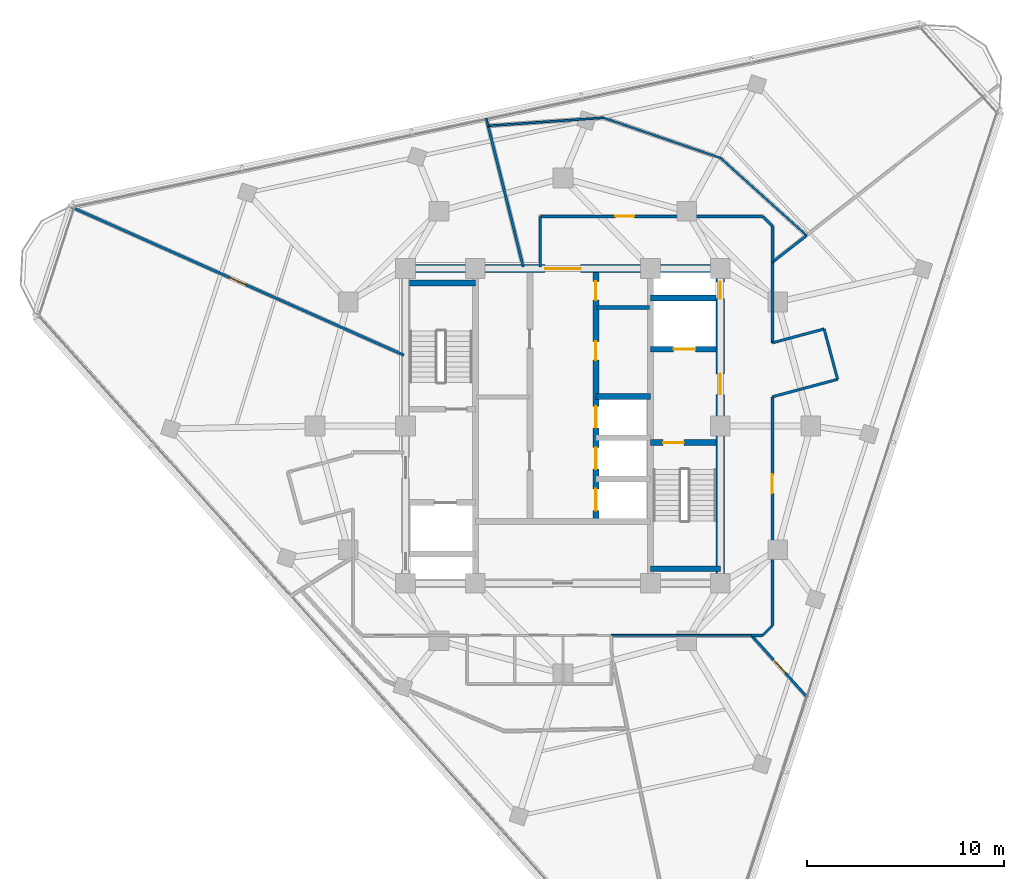
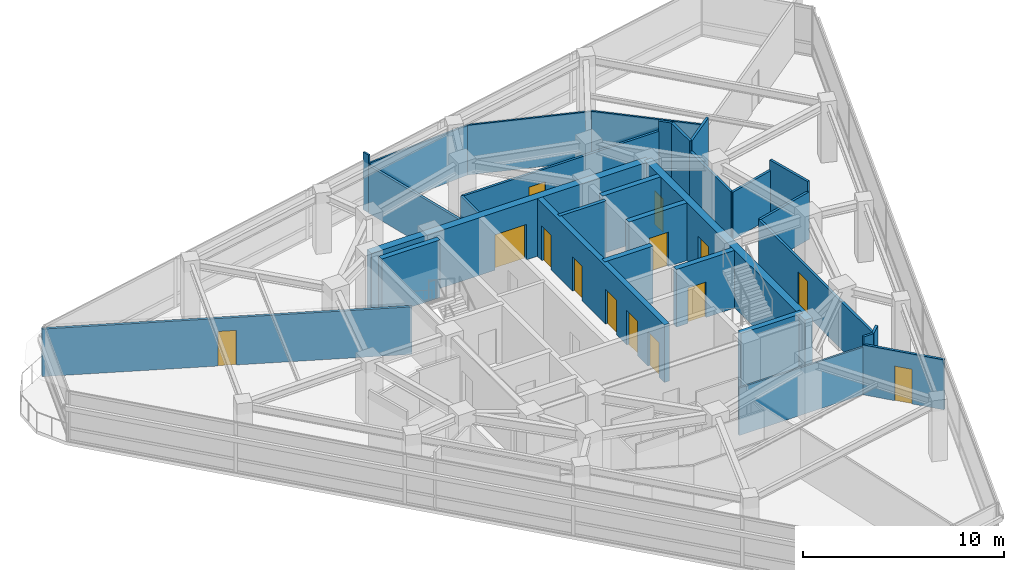
# One storey, part 9 of 15: 30 walls, 14 doors, 14 openings.
"""IFC4 building model written with IfcOpenShell, lengths in metres."""

from ifc_helpers import new_model, si_unit, direction, frame, frame_2d, origin, place, context, subcontext, project, spatial, rectangle, extrude, material, layer, layer_set, type_object, element, fill, save


model = new_model("IFC4")

# Units and contexts
model_context = context("Model", 3, precision=1e-05, world=origin(), true_north=direction((0.0, 1.0)))
body_context = subcontext(model_context, "Body", "Model", "MODEL_VIEW")
ifc_project = project(units=[si_unit("LENGTHUNIT", "METRE"), si_unit("AREAUNIT", "SQUARE_METRE"), si_unit("VOLUMEUNIT", "CUBIC_METRE"), si_unit("PLANEANGLEUNIT", "RADIAN"), si_unit("MASSUNIT", "GRAM", prefix="KILO")], contexts=[model_context])

# Site, building, storey
site_placement = place(None, origin())
site = spatial("IfcSite", under=ifc_project, at=site_placement, CompositionType="ELEMENT")
building_placement = place(site_placement, origin())
building = spatial("IfcBuilding", under=site, at=building_placement, Name="Terralouvre Media Tower", CompositionType="ELEMENT")
storey_placement = place(building_placement, frame((0.0, 0.0, 286.89990234375)))
storey = spatial("IfcBuildingStorey", under=building, at=storey_placement, Name="L74", CompositionType="ELEMENT", Elevation=286.89990234375)

# Wall
ifc_material_1 = material(Name="Concrete C50/60", Category="concrete")
ifc_layer_1 = layer(ifc_material_1, 0.300048828125, Name="Core Internal Shaft Wall CW-300")
ifc_layer_set_1 = layer_set([ifc_layer_1], Name="Concrete C50/60")
wall_type_1 = type_object("IfcWallType", Name="Core Internal Shaft Wall CW-300", PredefinedType="SHEAR", material=ifc_layer_set_1)
wall_1_placement = place(storey_placement, frame((-7.7900390625, 7.260009765625, 0.0), z_axis=(0.0, 0.0, 1.0), x_axis=(1.0, 0.0, 0.0)))
element("IfcWall", 1, at=wall_1_placement, inside=storey, type_object=wall_type_1, Name="L74 Core Shaft Wall ST1F", PredefinedType="SHEAR", context=body_context, shape_type="SweptSolid", body=[
    extrude(rectangle(XDim=3.340087890625, YDim=0.300048828125, at=frame_2d((1.669921875, 0.0))), origin(), (0.0, 0.0, 1.0), 3.5),
])

# Wall, opening, door
wall_2_placement = place(storey_placement, frame((4.449951171875, -0.85009765625, 0.0), z_axis=(0.0, 0.0, 1.0), x_axis=(1.0, 0.0, 0.0)))
wall_2 = element("IfcWall", 2, at=wall_2_placement, inside=storey, type_object=wall_type_1, Name="L74 Core Shaft Wall ST2D", PredefinedType="SHEAR", context=body_context, shape_type="SweptSolid", body=[
    extrude(rectangle(XDim=3.340087890625, YDim=0.300048828125, at=frame_2d((1.669921875, 0.0))), origin(), (0.0, 0.0, 1.0), 3.5),
])
opening_1_placement = place(wall_2_placement, frame((0.64990234375, 0.0, 0.0)))
opening_1 = element("IfcOpeningElement", 3, at=opening_1_placement, cuts=wall_2, Name="Opening FD-01-105X215", PredefinedType="OPENING", context=body_context, shape_type="SweptSolid", body=[
    extrude(rectangle(XDim=1.050048828125, YDim=2.14990234375, at=frame_2d((0.52490234375, 1.074951171875))), frame((0.0, 0.159912109375, 0.0), z_axis=(0.0, -1.0, 0.0), x_axis=(1.0, 0.0, 0.0)), (0.0, 0.0, 1.0), 0.320068359375),
])
ifc_material_2 = material(Name="Galvanised steel fire-resisting leaf", Category="steel")
door_type_1 = type_object("IfcDoorType", Name="Stair and Firefighting Lobby Fire Door FD-01 (1050x2150)", OperationType="NOTDEFINED", PredefinedType="DOOR", material=ifc_material_2)
door_1_placement = place(opening_1_placement, origin())
door_1 = element("IfcDoor", 4, at=door_1_placement, inside=storey, type_object=door_type_1, Name="L74 ST-02 Exit Stair Door", OperationType="SINGLE_SWING_RIGHT", OverallHeight=2.14990234375, OverallWidth=1.050048828125, PredefinedType="DOOR", context=body_context, shape_type="SweptSolid", body=[
    extrude(rectangle(XDim=1.050048828125, YDim=2.14990234375, at=frame_2d((0.52490234375, 1.074951171875))), frame((0.0, 0.02490234375, 0.0), z_axis=(0.0, -1.0, 0.0), x_axis=(1.0, 0.0, 0.0)), (0.0, 0.0, 1.0), 0.050048828125),
])
fill(opening_1, door_1)

# Wall
wall_3_placement = place(storey_placement, frame((4.449951171875, -7.260009765625, 0.0), z_axis=(0.0, 0.0, 1.0), x_axis=(1.0, 0.0, 0.0)))
element("IfcWall", 5, at=wall_3_placement, inside=storey, type_object=wall_type_1, Name="L74 Core Shaft Wall ST2F", PredefinedType="SHEAR", context=body_context, shape_type="SweptSolid", body=[
    extrude(rectangle(XDim=3.550048828125, YDim=0.300048828125, at=frame_2d((1.77490234375, 0.0))), origin(), (0.0, 0.0, 1.0), 3.5),
])

# Wall, opening, door
wall_4_placement = place(storey_placement, frame((4.449951171875, 3.89990234375, 0.0), z_axis=(0.0, 0.0, 1.0), x_axis=(1.0, 0.0, 0.0)))
wall_4 = element("IfcWall", 6, at=wall_4_placement, inside=storey, type_object=wall_type_1, Name="L74 Core Shaft Wall FF2S", PredefinedType="SHEAR", context=body_context, shape_type="SweptSolid", body=[
    extrude(rectangle(XDim=3.340087890625, YDim=0.300048828125, at=frame_2d((1.669921875, 0.0))), origin(), (0.0, 0.0, 1.0), 3.5),
])
opening_2_placement = place(wall_4_placement, frame((1.179931640625, 0.0, 0.0)))
opening_2 = element("IfcOpeningElement", 7, at=opening_2_placement, cuts=wall_4, Name="Opening LD-FF", PredefinedType="OPENING", context=body_context, shape_type="SweptSolid", body=[
    extrude(rectangle(XDim=1.10009765625, YDim=2.10009765625, at=frame_2d((0.550048828125, 1.050048828125))), frame((0.0, 0.159912109375, 0.0), z_axis=(0.0, -1.0, 0.0), x_axis=(1.0, 0.0, 0.0)), (0.0, 0.0, 1.0), 0.320068359375),
])
ifc_material_3 = material(Name="Stainless steel 316 handrail and balustrade", Category="steel")
door_type_2 = type_object("IfcDoorType", Name="Firefighting Lift Sliding Landing Door LD-FF", OperationType="SLIDING_TO_LEFT", PredefinedType="DOOR", material=ifc_material_3)
door_2_placement = place(opening_2_placement, origin())
door_2 = element("IfcDoor", 8, at=door_2_placement, inside=storey, type_object=door_type_2, Name="L74 Firefighting Lift FFL-02 Landing Door", OperationType="SLIDING_TO_LEFT", OverallHeight=2.10009765625, OverallWidth=1.10009765625, PredefinedType="DOOR", context=body_context, shape_type="SweptSolid", body=[
    extrude(rectangle(XDim=1.10009765625, YDim=2.10009765625, at=frame_2d((0.550048828125, 1.050048828125))), frame((0.0, 0.02490234375, 0.0), z_axis=(0.0, -1.0, 0.0), x_axis=(1.0, 0.0, 0.0)), (0.0, 0.0, 1.0), 0.050048828125),
])
fill(opening_2, door_2)

# Wall
wall_5_placement = place(storey_placement, frame((4.449951171875, 6.5, 0.0), z_axis=(0.0, 0.0, 1.0), x_axis=(1.0, 0.0, 0.0)))
element("IfcWall", 9, at=wall_5_placement, inside=storey, type_object=wall_type_1, Name="L74 Core Shaft Wall FF2N", PredefinedType="SHEAR", context=body_context, shape_type="SweptSolid", body=[
    extrude(rectangle(XDim=3.340087890625, YDim=0.300048828125, at=frame_2d((1.669921875, 0.0))), origin(), (0.0, 0.0, 1.0), 3.5),
])

# Wall, openings, doors
wall_6_placement = place(storey_placement, frame((1.679931640625, -4.85009765625, 0.0), z_axis=(0.0, 0.0, 1.0), x_axis=(0.0, 1.0, 0.0)))
wall_6 = element("IfcWall", 10, at=wall_6_placement, inside=storey, type_object=wall_type_1, Name="L74 Core Shaft Wall LBE", PredefinedType="SHEAR", context=body_context, shape_type="SweptSolid", body=[
    extrude(rectangle(XDim=12.64013671875, YDim=0.300048828125, at=frame_2d((6.320068359375, 0.0))), origin(), (0.0, 0.0, 1.0), 3.5),
])
opening_3_placement = place(wall_6_placement, frame((0.550048828125, 0.0, 0.0)))
opening_3 = element("IfcOpeningElement", 11, at=opening_3_placement, cuts=wall_6, Name="Opening LD-PL", PredefinedType="OPENING", context=body_context, shape_type="SweptSolid", body=[
    extrude(rectangle(XDim=1.10009765625, YDim=2.10009765625, at=frame_2d((0.550048828125, 1.050048828125))), frame((0.0, 0.159912109375, 0.0), z_axis=(0.0, -1.0, 0.0), x_axis=(1.0, 0.0, 0.0)), (0.0, 0.0, 1.0), 0.320068359375),
])
opening_4_placement = place(wall_6_placement, frame((2.64990234375, 0.0, 0.0)))
opening_4 = element("IfcOpeningElement", 12, at=opening_4_placement, cuts=wall_6, Name="Opening LD-PL", PredefinedType="OPENING", context=body_context, shape_type="SweptSolid", body=[
    extrude(rectangle(XDim=1.10009765625, YDim=2.10009765625, at=frame_2d((0.550048828125, 1.050048828125))), frame((0.0, 0.159912109375, 0.0), z_axis=(0.0, -1.0, 0.0), x_axis=(1.0, 0.0, 0.0)), (0.0, 0.0, 1.0), 0.320068359375),
])
opening_5_placement = place(wall_6_placement, frame((4.75, 0.0, 0.0)))
opening_5 = element("IfcOpeningElement", 13, at=opening_5_placement, cuts=wall_6, Name="Opening LD-PL", PredefinedType="OPENING", context=body_context, shape_type="SweptSolid", body=[
    extrude(rectangle(XDim=1.10009765625, YDim=2.10009765625, at=frame_2d((0.550048828125, 1.050048828125))), frame((0.0, 0.159912109375, 0.0), z_axis=(0.0, -1.0, 0.0), x_axis=(1.0, 0.0, 0.0)), (0.0, 0.0, 1.0), 0.320068359375),
])
opening_6_placement = place(wall_6_placement, frame((8.199951171875, 0.0, 0.0)))
opening_6 = element("IfcOpeningElement", 14, at=opening_6_placement, cuts=wall_6, Name="Opening FD-02-95X210", PredefinedType="OPENING", context=body_context, shape_type="SweptSolid", body=[
    extrude(rectangle(XDim=0.949951171875, YDim=2.10009765625, at=frame_2d((0.47509765625, 1.050048828125))), frame((0.0, 0.159912109375, 0.0), z_axis=(0.0, -1.0, 0.0), x_axis=(1.0, 0.0, 0.0)), (0.0, 0.0, 1.0), 0.320068359375),
])
opening_7_placement = place(wall_6_placement, frame((11.25, 0.0, 0.0)))
opening_7 = element("IfcOpeningElement", 15, at=opening_7_placement, cuts=wall_6, Name="Opening SD-02", PredefinedType="OPENING", context=body_context, shape_type="SweptSolid", body=[
    extrude(rectangle(XDim=0.949951171875, YDim=2.10009765625, at=frame_2d((0.47509765625, 1.050048828125))), frame((0.0, 0.159912109375, 0.0), z_axis=(0.0, -1.0, 0.0), x_axis=(1.0, 0.0, 0.0)), (0.0, 0.0, 1.0), 0.320068359375),
])
ifc_material_4 = material(Name="Galvanised steel fire-resisting leaf", Category="steel")
door_type_3 = type_object("IfcDoorType", Name="Core Service Sliding Fire Door SD-02", OperationType="SLIDING_TO_LEFT", PredefinedType="DOOR", material=ifc_material_4)
door_3_placement = place(opening_7_placement, origin())
door_3 = element("IfcDoor", 16, at=door_3_placement, inside=storey, type_object=door_type_3, Name="L74 Core Hospitality Store Door", OperationType="SLIDING_TO_LEFT", OverallHeight=2.10009765625, OverallWidth=0.949951171875, PredefinedType="DOOR", context=body_context, shape_type="SweptSolid", body=[
    extrude(rectangle(XDim=0.949951171875, YDim=2.10009765625, at=frame_2d((0.47509765625, 1.050048828125))), frame((0.0, 0.02490234375, 0.0), z_axis=(0.0, -1.0, 0.0), x_axis=(1.0, 0.0, 0.0)), (0.0, 0.0, 1.0), 0.050048828125),
])
fill(opening_7, door_3)
ifc_material_5 = material(Name="Stainless steel 316 handrail and balustrade", Category="steel")
door_type_4 = type_object("IfcDoorType", Name="Passenger Lift Sliding Landing Door LD-PL", OperationType="SLIDING_TO_LEFT", PredefinedType="DOOR", material=ifc_material_5)
door_4_placement = place(opening_3_placement, origin())
door_4 = element("IfcDoor", 17, at=door_4_placement, inside=storey, type_object=door_type_4, Name="L74 High-Rise Lift PL-H1 Landing Door", OperationType="SLIDING_TO_LEFT", OverallHeight=2.10009765625, OverallWidth=1.10009765625, PredefinedType="DOOR", context=body_context, shape_type="SweptSolid", body=[
    extrude(rectangle(XDim=1.10009765625, YDim=2.10009765625, at=frame_2d((0.550048828125, 1.050048828125))), frame((0.0, 0.02490234375, 0.0), z_axis=(0.0, -1.0, 0.0), x_axis=(1.0, 0.0, 0.0)), (0.0, 0.0, 1.0), 0.050048828125),
])
fill(opening_3, door_4)
door_5_placement = place(opening_4_placement, origin())
door_5 = element("IfcDoor", 18, at=door_5_placement, inside=storey, type_object=door_type_4, Name="L74 High-Rise Lift PL-H2 Landing Door", OperationType="SLIDING_TO_LEFT", OverallHeight=2.10009765625, OverallWidth=1.10009765625, PredefinedType="DOOR", context=body_context, shape_type="SweptSolid", body=[
    extrude(rectangle(XDim=1.10009765625, YDim=2.10009765625, at=frame_2d((0.550048828125, 1.050048828125))), frame((0.0, 0.02490234375, 0.0), z_axis=(0.0, -1.0, 0.0), x_axis=(1.0, 0.0, 0.0)), (0.0, 0.0, 1.0), 0.050048828125),
])
fill(opening_4, door_5)
door_6_placement = place(opening_5_placement, origin())
door_6 = element("IfcDoor", 19, at=door_6_placement, inside=storey, type_object=door_type_4, Name="L74 High-Rise Lift PL-H3 Landing Door", OperationType="SLIDING_TO_LEFT", OverallHeight=2.10009765625, OverallWidth=1.10009765625, PredefinedType="DOOR", context=body_context, shape_type="SweptSolid", body=[
    extrude(rectangle(XDim=1.10009765625, YDim=2.10009765625, at=frame_2d((0.550048828125, 1.050048828125))), frame((0.0, 0.02490234375, 0.0), z_axis=(0.0, -1.0, 0.0), x_axis=(1.0, 0.0, 0.0)), (0.0, 0.0, 1.0), 0.050048828125),
])
fill(opening_5, door_6)
ifc_material_6 = material(Name="Galvanised steel fire-resisting leaf", Category="steel")
door_type_5 = type_object("IfcDoorType", Name="Plant and Riser Fire Door FD-02 (950x2100)", OperationType="NOTDEFINED", PredefinedType="DOOR", material=ifc_material_6)
door_7_placement = place(opening_6_placement, origin())
door_7 = element("IfcDoor", 20, at=door_7_placement, inside=storey, type_object=door_type_5, Name="L74 Core Telemetry Plant Door", OperationType="SINGLE_SWING_RIGHT", OverallHeight=2.10009765625, OverallWidth=0.949951171875, PredefinedType="DOOR", context=body_context, shape_type="SweptSolid", body=[
    extrude(rectangle(XDim=0.949951171875, YDim=2.10009765625, at=frame_2d((0.47509765625, 1.050048828125))), frame((0.0, 0.02490234375, 0.0), z_axis=(0.0, -1.0, 0.0), x_axis=(1.0, 0.0, 0.0)), (0.0, 0.0, 1.0), 0.050048828125),
])
fill(opening_6, door_7)

# Wall
wall_7_placement = place(storey_placement, frame((1.679931640625, 1.5, 0.0), z_axis=(0.0, 0.0, 1.0), x_axis=(1.0, 0.0, 0.0)))
element("IfcWall", 21, at=wall_7_placement, inside=storey, type_object=wall_type_1, Name="L74 Core Shaft Wall PLMBOT", PredefinedType="SHEAR", context=body_context, shape_type="SweptSolid", body=[
    extrude(rectangle(XDim=2.77001953125, YDim=0.300048828125, at=frame_2d((1.385009765625, 0.0))), origin(), (0.0, 0.0, 1.0), 3.5),
])

# Wall, openings, doors
ifc_material_7 = material(Name="Concrete C60/75", Category="concrete")
ifc_layer_2 = layer(ifc_material_7, 0.419921875, Name="Core Reinforced Concrete Shear Wall CW-420")
ifc_layer_set_2 = layer_set([ifc_layer_2], Name="Concrete C60/75")
wall_type_2 = type_object("IfcWallType", Name="Core Reinforced Concrete Shear Wall CW-420", PredefinedType="SHEAR", material=ifc_layer_set_2)
wall_8_placement = place(storey_placement, frame((8.0, -8.0, 0.0), z_axis=(0.0, 0.0, 1.0), x_axis=(0.0, 1.0, 0.0)))
wall_8 = element("IfcWall", 22, at=wall_8_placement, inside=storey, type_object=wall_type_2, Name="L74 E Core Shear Wall", PredefinedType="SHEAR", context=body_context, shape_type="SweptSolid", body=[
    extrude(rectangle(XDim=16.0, YDim=0.419921875, at=frame_2d((8.0, 0.0))), origin(), (0.0, 0.0, 1.0), 3.5),
])
opening_8_placement = place(wall_8_placement, frame((9.60009765625, 0.0, 0.0)))
opening_8 = element("IfcOpeningElement", 23, at=opening_8_placement, cuts=wall_8, Name="Opening FD-01-105X215", PredefinedType="OPENING", context=body_context, shape_type="SweptSolid", body=[
    extrude(rectangle(XDim=1.050048828125, YDim=2.14990234375, at=frame_2d((0.52490234375, 1.074951171875))), frame((0.0, 0.219970703125, 0.0), z_axis=(0.0, -1.0, 0.0), x_axis=(1.0, 0.0, 0.0)), (0.0, 0.0, 1.0), 0.43994140625),
])
opening_9_placement = place(wall_8_placement, frame((14.468994140625, 0.0, 0.0)))
opening_9 = element("IfcOpeningElement", 24, at=opening_9_placement, cuts=wall_8, Name="Opening TD-R1", PredefinedType="OPENING", context=body_context, shape_type="SweptSolid", body=[
    extrude(rectangle(XDim=0.85009765625, YDim=2.02001953125, at=frame_2d((0.425048828125, 1.010009765625))), frame((0.0, 0.219970703125, 0.0), z_axis=(0.0, -1.0, 0.0), x_axis=(1.0, 0.0, 0.0)), (0.0, 0.0, 1.0), 0.43994140625),
])
ifc_material_8 = material(Name="Galvanised steel fire-resisting leaf", Category="steel")
door_type_6 = type_object("IfcDoorType", Name="Riser Inspection Access Trapdoor TD-R1", OperationType="NOTDEFINED", PredefinedType="TRAPDOOR", material=ifc_material_8)
door_8_placement = place(opening_9_placement, origin())
door_8 = element("IfcDoor", 25, at=door_8_placement, inside=storey, type_object=door_type_6, Name="L74 East Comms Riser Access Trapdoor", OperationType="SINGLE_SWING_RIGHT", OverallHeight=2.02001953125, OverallWidth=0.85009765625, PredefinedType="TRAPDOOR", context=body_context, shape_type="SweptSolid", body=[
    extrude(rectangle(XDim=0.85009765625, YDim=2.02001953125, at=frame_2d((0.425048828125, 1.010009765625))), frame((0.0, 0.02490234375, 0.0), z_axis=(0.0, -1.0, 0.0), x_axis=(1.0, 0.0, 0.0)), (0.0, 0.0, 1.0), 0.050048828125),
])
fill(opening_9, door_8)
door_9_placement = place(opening_8_placement, origin())
door_9 = element("IfcDoor", 26, at=door_9_placement, inside=storey, type_object=door_type_1, Name="L74 East Firefighting Lobby Entry Door", OperationType="SINGLE_SWING_LEFT", OverallHeight=2.14990234375, OverallWidth=1.050048828125, PredefinedType="DOOR", context=body_context, shape_type="SweptSolid", body=[
    extrude(rectangle(XDim=1.050048828125, YDim=2.14990234375, at=frame_2d((0.52490234375, 1.074951171875))), frame((0.0, 0.02490234375, 0.0), z_axis=(0.0, -1.0, 0.0), x_axis=(1.0, 0.0, 0.0)), (0.0, 0.0, 1.0), 0.050048828125),
])
fill(opening_8, door_9)

# Wall, opening, door
wall_9_placement = place(storey_placement, frame((-8.0, 8.0, 0.0), z_axis=(0.0, 0.0, 1.0), x_axis=(1.0, 0.0, 0.0)))
wall_9 = element("IfcWall", 27, at=wall_9_placement, inside=storey, type_object=wall_type_2, Name="L74 N Core Shear Wall", PredefinedType="SHEAR", context=body_context, shape_type="SweptSolid", body=[
    extrude(rectangle(XDim=16.0, YDim=0.419921875, at=frame_2d((8.0, 0.0))), origin(), (0.0, 0.0, 1.0), 3.5),
])
opening_10_placement = place(wall_9_placement, frame((7.10009765625, 0.0, 0.0)))
opening_10 = element("IfcOpeningElement", 28, at=opening_10_placement, cuts=wall_9, Name="Opening FD-03", PredefinedType="OPENING", context=body_context, shape_type="SweptSolid", body=[
    extrude(rectangle(XDim=1.800048828125, YDim=2.14990234375, at=frame_2d((0.89990234375, 1.074951171875))), frame((0.0, 0.219970703125, 0.0), z_axis=(0.0, -1.0, 0.0), x_axis=(1.0, 0.0, 0.0)), (0.0, 0.0, 1.0), 0.43994140625),
])
ifc_material_9 = material(Name="Galvanised steel fire-resisting leaf", Category="steel")
door_type_7 = type_object("IfcDoorType", Name="Corridor Smoke-Control Double Door FD-03", OperationType="DOUBLE_DOOR_SINGLE_SWING", PredefinedType="DOOR", material=ifc_material_9)
door_10_placement = place(opening_10_placement, origin())
door_10 = element("IfcDoor", 29, at=door_10_placement, inside=storey, type_object=door_type_7, Name="L74 Central Lift Lobby Portal Door", OperationType="DOUBLE_DOOR_SINGLE_SWING", OverallHeight=2.14990234375, OverallWidth=1.800048828125, PredefinedType="DOOR", context=body_context, shape_type="SweptSolid", body=[
    extrude(rectangle(XDim=1.800048828125, YDim=2.14990234375, at=frame_2d((0.89990234375, 1.074951171875))), frame((0.0, 0.02490234375, 0.0), z_axis=(0.0, -1.0, 0.0), x_axis=(1.0, 0.0, 0.0)), (0.0, 0.0, 1.0), 0.050048828125),
])
fill(opening_10, door_10)

# Walls
ifc_material_10 = material(Name="Low-iron laminated double glazing with solar-control coating", Category="glass")
ifc_layer_3 = layer(ifc_material_10, 0.10009765625, Name="Demountable Glazed Office Partition PT-GL100")
ifc_layer_set_3 = layer_set([ifc_layer_3], Name="Low-iron laminated double glazing with solar-control coating")
wall_type_3 = type_object("IfcWallType", Name="Demountable Glazed Office Partition PT-GL100", PredefinedType="MOVABLE", material=ifc_layer_set_3)
wall_10_placement = place(storey_placement, frame((2.449951171875, -10.64990234375, 0.0), z_axis=(0.0, 0.0, 1.0), x_axis=(1.0, 0.0, 0.0)))
element("IfcWall", 30, at=wall_10_placement, inside=storey, type_object=wall_type_3, Name="L74 Interior Partition 019", PredefinedType="MOVABLE", context=body_context, shape_type="SweptSolid", body=[
    extrude(rectangle(XDim=7.13916015625, YDim=0.10009765625, at=frame_2d((3.569580078125, 0.0))), origin(), (0.0, 0.0, 1.0), 2.885009765625),
])
wall_11_placement = place(storey_placement, frame((-3.802978515625, 15.2548828125, 0.0), z_axis=(0.0, 0.0, 1.0), x_axis=(0.997563622011, 0.069762597718, 0.0)))
element("IfcWall", 31, at=wall_11_placement, inside=storey, type_object=wall_type_3, Name="L74 Interior Partition 043", PredefinedType="MOVABLE", context=body_context, shape_type="SweptSolid", body=[
    extrude(rectangle(XDim=5.87939453125, YDim=0.10009765625, at=frame_2d((2.939697265625, 0.0))), origin(), (0.0, 0.0, 1.0), 3.025146484375),
])
wall_12_placement = place(storey_placement, frame((2.06201171875, 15.6650390625, 0.0), z_axis=(0.0, 0.0, 1.0), x_axis=(0.94552565825, -0.32554758422, 0.0)))
element("IfcWall", 32, at=wall_12_placement, inside=storey, type_object=wall_type_3, Name="L74 Interior Partition 044", PredefinedType="MOVABLE", context=body_context, shape_type="SweptSolid", body=[
    extrude(rectangle(XDim=6.30029296875, YDim=0.10009765625, at=frame_2d((3.150146484375, 0.0))), origin(), (0.0, 0.0, 1.0), 3.025146484375),
])
wall_13_placement = place(storey_placement, frame((8.01904296875, 13.614013671875, 0.0), z_axis=(0.0, 0.0, 1.0), x_axis=(0.743110388877, -0.669168850099, 0.0)))
element("IfcWall", 33, at=wall_13_placement, inside=storey, type_object=wall_type_3, Name="L74 Interior Partition 045", PredefinedType="MOVABLE", context=body_context, shape_type="SweptSolid", body=[
    extrude(rectangle(XDim=5.880615234375, YDim=0.10009765625, at=frame_2d((2.9404296875, 0.0))), origin(), (0.0, 0.0, 1.0), 3.03515625),
])
wall_14_placement = place(storey_placement, frame((-3.896728515625, 15.627685546875, 0.0), z_axis=(0.0, 0.0, 1.0), x_axis=(0.24388032021, -0.969805335835, 0.0)))
element("IfcWall", 34, at=wall_14_placement, inside=storey, type_object=wall_type_3, Name="L74 Interior Partition 046", PredefinedType="MOVABLE", context=body_context, shape_type="SweptSolid", body=[
    extrude(rectangle(XDim=0.384521484375, YDim=0.10009765625, at=frame_2d((0.1923828125, 0.0))), origin(), (0.0, 0.0, 1.0), 3.5),
])
ifc_material_11 = material(Name="Fire-rated gypsum board drywall partition")
ifc_layer_4 = layer(ifc_material_11, 0.199951171875, Name="Fire-Rated Shaft and Lobby Partition FW-200")
ifc_layer_set_4 = layer_set([ifc_layer_4], Name="Fire-rated gypsum board drywall partition")
wall_type_4 = type_object("IfcWallType", Name="Fire-Rated Shaft and Lobby Partition FW-200", PredefinedType="SOLIDWALL", material=ifc_layer_set_4)
wall_15_placement = place(storey_placement, frame((1.719970703125, 6.010009765625, 0.0), z_axis=(0.0, 0.0, 1.0), x_axis=(1.0, 0.0, 0.0)))
element("IfcWall", 35, at=wall_15_placement, inside=storey, type_object=wall_type_4, Name="L74 Core East Sub-Partition 1", PredefinedType="SOLIDWALL", context=body_context, shape_type="SweptSolid", body=[
    extrude(rectangle(XDim=2.679931640625, YDim=0.199951171875, at=frame_2d((1.33984375, 0.0))), origin(), (0.0, 0.0, 1.0), 3.5),
])
ifc_material_12 = material(Name="Fire-rated gypsum board drywall partition")
ifc_layer_5 = layer(ifc_material_12, 0.135009765625, Name="Newsroom Acoustic Partition PT-135")
ifc_layer_set_5 = layer_set([ifc_layer_5], Name="Fire-rated gypsum board drywall partition")
wall_type_5 = type_object("IfcWallType", Name="Newsroom Acoustic Partition PT-135", PredefinedType="PARTITIONING", material=ifc_layer_set_5)
wall_16_placement = place(storey_placement, frame((9.589111328125, -10.64990234375, 0.0), z_axis=(0.0, 0.0, 1.0), x_axis=(1.0, 0.0, 0.0)))
element("IfcWall", 36, at=wall_16_placement, inside=storey, type_object=wall_type_5, Name="L74 Interior Partition 006", PredefinedType="PARTITIONING", context=body_context, shape_type="SweptSolid", body=[
    extrude(rectangle(XDim=0.560791015625, YDim=0.135009765625, at=frame_2d((0.2802734375, 0.0))), origin(), (0.0, 0.0, 1.0), 3.5),
])
wall_17_placement = place(storey_placement, frame((10.14990234375, -10.64990234375, 0.0), z_axis=(0.0, 0.0, 1.0), x_axis=(0.707106781187, 0.707106781187, 0.0)))
element("IfcWall", 37, at=wall_17_placement, inside=storey, type_object=wall_type_5, Name="L74 Interior Partition 007", PredefinedType="PARTITIONING", context=body_context, shape_type="SweptSolid", body=[
    extrude(rectangle(XDim=0.70703125, YDim=0.135009765625, at=frame_2d((0.353515625, 0.0))), origin(), (0.0, 0.0, 1.0), 3.5),
])

# Wall, opening, door
wall_18_placement = place(storey_placement, frame((10.64990234375, -10.14990234375, 0.0), z_axis=(0.0, 0.0, 1.0), x_axis=(0.0, 1.0, 0.0)))
wall_18 = element("IfcWall", 38, at=wall_18_placement, inside=storey, type_object=wall_type_5, Name="L74 Interior Partition 008", PredefinedType="PARTITIONING", context=body_context, shape_type="SweptSolid", body=[
    extrude(rectangle(XDim=11.6318359375, YDim=0.135009765625, at=frame_2d((5.81591796875, 0.0))), origin(), (0.0, 0.0, 1.0), 2.885009765625),
])
opening_11_placement = place(wall_18_placement, frame((6.73681640625, 0.0, 0.0)))
opening_11 = element("IfcOpeningElement", 39, at=opening_11_placement, cuts=wall_18, Name="Opening ID-02-95X210", PredefinedType="OPENING", context=body_context, shape_type="SweptSolid", body=[
    extrude(rectangle(XDim=0.949951171875, YDim=2.10009765625, at=frame_2d((0.47509765625, 1.050048828125))), frame((0.0, 0.077392578125, 0.0), z_axis=(0.0, -1.0, 0.0), x_axis=(1.0, 0.0, 0.0)), (0.0, 0.0, 1.0), 0.155029296875),
])
ifc_material_13 = material(Name="Engineered hardwood acoustic timber leaf", Category="wood")
door_type_8 = type_object("IfcDoorType", Name="Office and Meeting Room Door ID-02 (950x2100)", OperationType="NOTDEFINED", PredefinedType="DOOR", material=ifc_material_13)
door_11_placement = place(opening_11_placement, origin())
door_11 = element("IfcDoor", 40, at=door_11_placement, inside=storey, type_object=door_type_8, Name="L74 Training Equipment Store 2 Door", OperationType="SINGLE_SWING_LEFT", OverallHeight=2.10009765625, OverallWidth=0.949951171875, PredefinedType="DOOR", context=body_context, shape_type="SweptSolid", body=[
    extrude(rectangle(XDim=0.949951171875, YDim=2.10009765625, at=frame_2d((0.47509765625, 1.050048828125))), frame((0.0, 0.02490234375, 0.0), z_axis=(0.0, -1.0, 0.0), x_axis=(1.0, 0.0, 0.0)), (0.0, 0.0, 1.0), 0.050048828125),
])
fill(opening_11, door_11)

# Walls
wall_19_placement = place(storey_placement, frame((10.64990234375, 1.48193359375, 0.0), z_axis=(0.0, 0.0, 1.0), x_axis=(0.965961397105, 0.2586862565, 0.0)))
element("IfcWall", 41, at=wall_19_placement, inside=storey, type_object=wall_type_5, Name="L74 Interior Partition 009", PredefinedType="PARTITIONING", context=body_context, shape_type="SweptSolid", body=[
    extrude(rectangle(XDim=3.4287109375, YDim=0.135009765625, at=frame_2d((1.71435546875, 0.0))), origin(), (0.0, 0.0, 1.0), 2.885009765625),
])
wall_20_placement = place(storey_placement, frame((13.9619140625, 2.368896484375, 0.0), z_axis=(0.0, 0.0, 1.0), x_axis=(-0.258413725385, 0.966034340245, 0.0)))
element("IfcWall", 42, at=wall_20_placement, inside=storey, type_object=wall_type_5, Name="L74 Interior Partition 010", PredefinedType="PARTITIONING", context=body_context, shape_type="SweptSolid", body=[
    extrude(rectangle(XDim=2.650146484375, YDim=0.135009765625, at=frame_2d((1.3251953125, 0.0))), origin(), (0.0, 0.0, 1.0), 3.5),
])
wall_21_placement = place(storey_placement, frame((13.277099609375, 4.928955078125, 0.0), z_axis=(0.0, 0.0, 1.0), x_axis=(-0.965934830229, -0.258785439601, 0.0)))
element("IfcWall", 43, at=wall_21_placement, inside=storey, type_object=wall_type_5, Name="L74 Interior Partition 011", PredefinedType="PARTITIONING", context=body_context, shape_type="SweptSolid", body=[
    extrude(rectangle(XDim=2.719970703125, YDim=0.135009765625, at=frame_2d((1.35986328125, 0.0))), origin(), (0.0, 0.0, 1.0), 2.885009765625),
])
wall_22_placement = place(storey_placement, frame((10.64990234375, 4.22509765625, 0.0), z_axis=(0.0, 0.0, 1.0), x_axis=(0.0, 1.0, 0.0)))
element("IfcWall", 44, at=wall_22_placement, inside=storey, type_object=wall_type_5, Name="L74 Interior Partition 012", PredefinedType="PARTITIONING", context=body_context, shape_type="SweptSolid", body=[
    extrude(rectangle(XDim=4.095947265625, YDim=0.135009765625, at=frame_2d((2.0478515625, 0.0))), origin(), (0.0, 0.0, 1.0), 2.885009765625),
])
wall_23_placement = place(storey_placement, frame((10.64990234375, 8.321044921875, 0.0), z_axis=(0.0, 0.0, 1.0), x_axis=(0.0, 1.0, 0.0)))
element("IfcWall", 45, at=wall_23_placement, inside=storey, type_object=wall_type_5, Name="L74 Interior Partition 020", PredefinedType="PARTITIONING", context=body_context, shape_type="SweptSolid", body=[
    extrude(rectangle(XDim=1.828857421875, YDim=0.135009765625, at=frame_2d((0.91455078125, 0.0))), origin(), (0.0, 0.0, 1.0), 3.5),
])
wall_24_placement = place(storey_placement, frame((10.64990234375, 10.14990234375, 0.0), z_axis=(0.0, 0.0, 1.0), x_axis=(-0.707106781187, 0.707106781187, 0.0)))
element("IfcWall", 46, at=wall_24_placement, inside=storey, type_object=wall_type_5, Name="L74 Interior Partition 021", PredefinedType="PARTITIONING", context=body_context, shape_type="SweptSolid", body=[
    extrude(rectangle(XDim=0.70703125, YDim=0.135009765625, at=frame_2d((0.353515625, 0.0))), origin(), (0.0, 0.0, 1.0), 3.5),
])

# Wall, opening, door
wall_25_placement = place(storey_placement, frame((10.14990234375, 10.64990234375, 0.0), z_axis=(0.0, 0.0, 1.0), x_axis=(-1.0, 0.0, 0.0)))
wall_25 = element("IfcWall", 47, at=wall_25_placement, inside=storey, type_object=wall_type_5, Name="L74 Interior Partition 022", PredefinedType="PARTITIONING", context=body_context, shape_type="SweptSolid", body=[
    extrude(rectangle(XDim=11.2998046875, YDim=0.135009765625, at=frame_2d((5.64990234375, 0.0))), origin(), (0.0, 0.0, 1.0), 2.885009765625),
])
opening_12_placement = place(wall_25_placement, frame((6.531005859375, 0.0, 0.0)))
opening_12 = element("IfcOpeningElement", 48, at=opening_12_placement, cuts=wall_25, Name="Opening ID-02-95X210", PredefinedType="OPENING", context=body_context, shape_type="SweptSolid", body=[
    extrude(rectangle(XDim=0.949951171875, YDim=2.10009765625, at=frame_2d((0.47509765625, 1.050048828125))), frame((0.0, 0.077392578125, 0.0), z_axis=(0.0, -1.0, 0.0), x_axis=(1.0, 0.0, 0.0)), (0.0, 0.0, 1.0), 0.155029296875),
])
door_12_placement = place(opening_12_placement, origin())
door_12 = element("IfcDoor", 49, at=door_12_placement, inside=storey, type_object=door_type_8, Name="L74 Media Reference Library 7 Door", OperationType="SINGLE_SWING_RIGHT", OverallHeight=2.10009765625, OverallWidth=0.949951171875, PredefinedType="DOOR", context=body_context, shape_type="SweptSolid", body=[
    extrude(rectangle(XDim=0.949951171875, YDim=2.10009765625, at=frame_2d((0.47509765625, 1.050048828125))), frame((0.0, 0.02490234375, 0.0), z_axis=(0.0, -1.0, 0.0), x_axis=(1.0, 0.0, 0.0)), (0.0, 0.0, 1.0), 0.050048828125),
])
fill(opening_12, door_12)

# Wall
wall_26_placement = place(storey_placement, frame((-1.14990234375, 10.64990234375, 0.0), z_axis=(0.0, 0.0, 1.0), x_axis=(0.0, -1.0, 0.0)))
element("IfcWall", 50, at=wall_26_placement, inside=storey, type_object=wall_type_5, Name="L74 Interior Partition 023", PredefinedType="PARTITIONING", context=body_context, shape_type="SweptSolid", body=[
    extrude(rectangle(XDim=2.56982421875, YDim=0.135009765625, at=frame_2d((1.284912109375, 0.0))), origin(), (0.0, 0.0, 1.0), 2.885009765625),
])

# Wall, opening, door
wall_27_placement = place(storey_placement, frame((-8.080078125, 3.59716796875, 0.0), z_axis=(0.0, 0.0, 1.0), x_axis=(-0.913542590258, 0.406743083266, 0.0)))
wall_27 = element("IfcWall", 51, at=wall_27_placement, inside=storey, type_object=wall_type_5, Name="L74 Interior Partition 026", PredefinedType="PARTITIONING", context=body_context, shape_type="SweptSolid", body=[
    extrude(rectangle(XDim=18.505126953125, YDim=0.135009765625, at=frame_2d((9.25244140625, 0.0))), origin(), (0.0, 0.0, 1.0), 2.885009765625),
])
opening_13_placement = place(wall_27_placement, frame((8.79248046875, 0.0, 0.0)))
opening_13 = element("IfcOpeningElement", 52, at=opening_13_placement, cuts=wall_27, Name="Opening ID-03-92X210", PredefinedType="OPENING", context=body_context, shape_type="SweptSolid", body=[
    extrude(rectangle(XDim=0.919921875, YDim=2.10009765625, at=frame_2d((0.4599609375, 1.050048828125))), frame((0.0, 0.077392578125, 0.0), z_axis=(0.0, -1.0, 0.0), x_axis=(1.0, 0.0, 0.0)), (0.0, 0.0, 1.0), 0.155029296875),
])
ifc_material_14 = material(Name="Engineered hardwood acoustic timber leaf", Category="wood")
door_type_9 = type_object("IfcDoorType", Name="Accessible Restroom and Suite Door ID-03 (920x2100)", OperationType="NOTDEFINED", PredefinedType="DOOR", material=ifc_material_14)
door_13_placement = place(opening_13_placement, origin())
door_13 = element("IfcDoor", 53, at=door_13_placement, inside=storey, type_object=door_type_9, Name="L74 Periodicals Reading Club 8 Door", OperationType="SINGLE_SWING_RIGHT", OverallHeight=2.10009765625, OverallWidth=0.919921875, PredefinedType="DOOR", context=body_context, shape_type="SweptSolid", body=[
    extrude(rectangle(XDim=0.919921875, YDim=2.10009765625, at=frame_2d((0.4599609375, 1.050048828125))), frame((0.0, 0.02490234375, 0.0), z_axis=(0.0, -1.0, 0.0), x_axis=(1.0, 0.0, 0.0)), (0.0, 0.0, 1.0), 0.050048828125),
])
fill(opening_13, door_13)

wall_28_placement = place(storey_placement, frame((9.589111328125, -10.64990234375, 0.0), z_axis=(0.0, 0.0, 1.0), x_axis=(0.66916439333, -0.743114402161, 0.0)))
wall_28 = element("IfcWall", 54, at=wall_28_placement, inside=storey, type_object=wall_type_5, Name="L74 Interior Partition 027", PredefinedType="PARTITIONING", context=body_context, shape_type="SweptSolid", body=[
    extrude(rectangle(XDim=4.255615234375, YDim=0.135009765625, at=frame_2d((2.1279296875, 0.0))), origin(), (0.0, 0.0, 1.0), 3.03515625),
])
opening_14_placement = place(wall_28_placement, frame((1.667724609375, 0.0, 0.0)))
opening_14 = element("IfcOpeningElement", 55, at=opening_14_placement, cuts=wall_28, Name="Opening ID-03-92X210", PredefinedType="OPENING", context=body_context, shape_type="SweptSolid", body=[
    extrude(rectangle(XDim=0.919921875, YDim=2.10009765625, at=frame_2d((0.4599609375, 1.050048828125))), frame((0.0, 0.077392578125, 0.0), z_axis=(0.0, -1.0, 0.0), x_axis=(1.0, 0.0, 0.0)), (0.0, 0.0, 1.0), 0.155029296875),
])
door_14_placement = place(opening_14_placement, origin())
door_14 = element("IfcDoor", 56, at=door_14_placement, inside=storey, type_object=door_type_9, Name="L74 Voice Coaching Interview Room 5 Door", OperationType="SINGLE_SWING_RIGHT", OverallHeight=2.10009765625, OverallWidth=0.919921875, PredefinedType="DOOR", context=body_context, shape_type="SweptSolid", body=[
    extrude(rectangle(XDim=0.919921875, YDim=2.10009765625, at=frame_2d((0.4599609375, 1.050048828125))), frame((0.0, 0.02490234375, 0.0), z_axis=(0.0, -1.0, 0.0), x_axis=(1.0, 0.0, 0.0)), (0.0, 0.0, 1.0), 0.050048828125),
])
fill(opening_14, door_14)

# Walls
wall_29_placement = place(storey_placement, frame((12.388916015625, 9.678955078125, 0.0), z_axis=(0.0, 0.0, 1.0), x_axis=(-0.788177008199, -0.615448619908, 0.0)))
element("IfcWall", 57, at=wall_29_placement, inside=storey, type_object=wall_type_5, Name="L74 Interior Partition 029", PredefinedType="PARTITIONING", context=body_context, shape_type="SweptSolid", body=[
    extrude(rectangle(XDim=2.206298828125, YDim=0.135009765625, at=frame_2d((1.10302734375, 0.0))), origin(), (0.0, 0.0, 1.0), 3.5),
])
wall_30_placement = place(storey_placement, frame((-3.802978515625, 15.2548828125, 0.0), z_axis=(0.0, 0.0, 1.0), x_axis=(0.241851911951, -0.970313172479, 0.0)))
element("IfcWall", 58, at=wall_30_placement, inside=storey, type_object=wall_type_5, Name="L74 Interior Partition 047", PredefinedType="PARTITIONING", context=body_context, shape_type="SweptSolid", body=[
    extrude(rectangle(XDim=7.394287109375, YDim=0.135009765625, at=frame_2d((3.697265625, 0.0))), origin(), (0.0, 0.0, 1.0), 2.885009765625),
])

save(model, "model.ifc")
